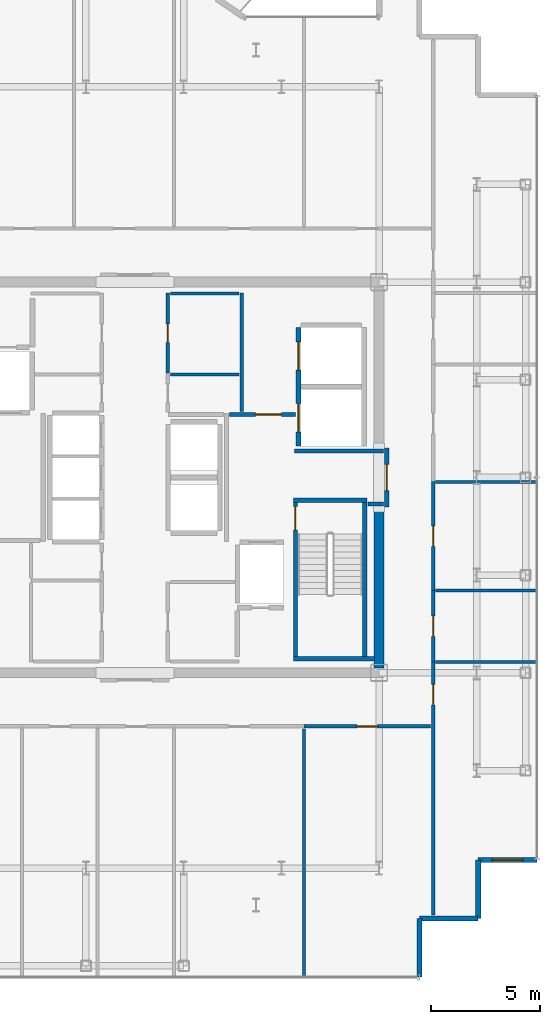
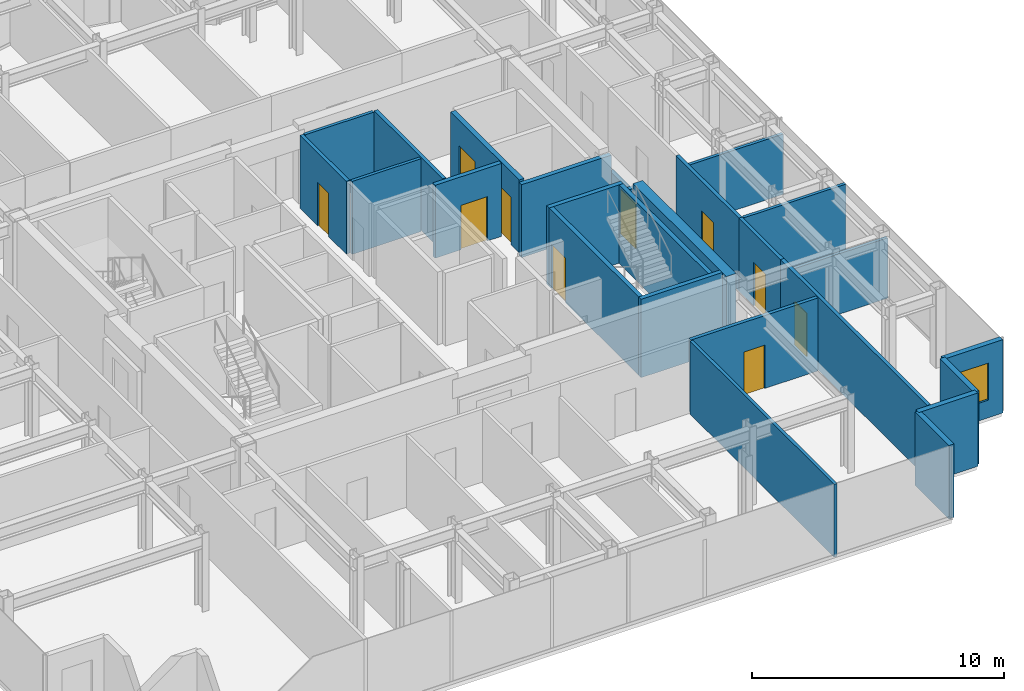
# One storey, part 15 of 18: 26 walls, 10 doors, 1 window, 11 openings.
"""IFC4 building model written with IfcOpenShell, lengths in metres."""

from ifc_helpers import new_model, si_unit, direction, frame, frame_2d, origin, place, context, subcontext, project, spatial, rectangle, extrude, source, transform, mapped, material, layer, layer_set, type_object, element, fill, save


model = new_model("IFC4")

# Units and contexts
model_context = context("Model", 3, precision=1e-05, world=origin(), true_north=direction((0.0, 1.0)))
body_context = subcontext(model_context, "Body", "Model", "MODEL_VIEW")
ifc_project = project(units=[si_unit("LENGTHUNIT", "METRE"), si_unit("AREAUNIT", "SQUARE_METRE"), si_unit("VOLUMEUNIT", "CUBIC_METRE"), si_unit("PLANEANGLEUNIT", "RADIAN"), si_unit("MASSUNIT", "GRAM", prefix="KILO")], contexts=[model_context])

# Site, building, storey
site_placement = place(None, origin())
site = spatial("IfcSite", under=ifc_project, at=site_placement, CompositionType="ELEMENT")
building_placement = place(site_placement, origin())
building = spatial("IfcBuilding", under=site, at=building_placement, Name="Nefas-Gora Pilgrimage Tower", CompositionType="ELEMENT")
storey_placement = place(building_placement, frame((0.0, 0.0, 295.0)))
storey = spatial("IfcBuildingStorey", under=building, at=storey_placement, Name="L74", CompositionType="ELEMENT", Elevation=295.0)

# Wall
ifc_material_1 = material(Name="Concrete C50/60", Category="concrete")
ifc_layer_1 = layer(ifc_material_1, 0.449951171875)
ifc_layer_set_1 = layer_set([ifc_layer_1], Name="Concrete C50/60")
wall_type_1 = type_object("IfcWallType", Name="SW-CORE-450", PredefinedType="SHEAR", material=ifc_layer_set_1)
shared_shape_1 = source(origin(), body_context, "Body", "SweptSolid", [
    extrude(rectangle(XDim=7.4248046875, YDim=0.449951171875, at=frame_2d((3.71240234375, 0.0))), origin(), (0.0, 0.0, 1.0), 3.800048828125),
])
wall_1_placement = place(storey_placement, frame((11.25, -8.77490234375, 0.0), z_axis=(0.0, 0.0, 1.0), x_axis=(0.0, 1.0, 0.0)))
element("IfcWall", 1, at=wall_1_placement, inside=storey, type_object=wall_type_1, Name="L74 Core Shear Wall E-South", PredefinedType="SHEAR", context=body_context, shape_type="MappedRepresentation", body=[
    mapped(shared_shape_1, transform((0.0, 0.0, 0.0), x_axis=(1.0, 0.0, 0.0), y_axis=(0.0, 1.0, 0.0), z_axis=(0.0, 0.0, 1.0), scale=1.0)),
])

# Wall, opening, window
ifc_material_2 = material(Name="Precast concrete C45/55", Category="concrete")
ifc_layer_2 = layer(ifc_material_2, 0.239990234375)
ifc_layer_set_2 = layer_set([ifc_layer_2], Name="Precast concrete C45/55")
wall_type_2 = type_object("IfcWallType", Name="EW-SERR-240", PredefinedType="SHEAR", material=ifc_layer_set_2)
shared_shape_2 = source(origin(), body_context, "Body", "SweptSolid", [
    extrude(rectangle(XDim=2.699951171875, YDim=0.239990234375, at=frame_2d((1.35009765625, 0.0))), origin(), (0.0, 0.0, 1.0), 3.550048828125),
])
wall_2_placement = place(storey_placement, frame((15.820068359375, -17.6201171875, 0.0), z_axis=(0.0, 0.0, 1.0), x_axis=(1.0, 0.0, 0.0)))
wall_2 = element("IfcWall", 2, at=wall_2_placement, inside=storey, type_object=wall_type_2, Name="L74 Serrated Corner Shear Pier Wall 1", PredefinedType="SHEAR", context=body_context, shape_type="MappedRepresentation", body=[
    mapped(shared_shape_2, transform((0.0, 0.0, 0.0), x_axis=(1.0, 0.0, 0.0), y_axis=(0.0, 1.0, 0.0), z_axis=(0.0, 0.0, 1.0), scale=1.0)),
])
opening_1_placement = place(wall_2_placement, frame((0.64990234375, 0.0, 0.85009765625)))
opening_1 = element("IfcOpeningElement", 3, at=opening_1_placement, cuts=wall_2, Name="Opening W-V2", PredefinedType="OPENING", context=body_context, shape_type="SweptSolid", body=[
    extrude(rectangle(XDim=1.39990234375, YDim=1.800048828125, at=frame_2d((0.699951171875, 0.89990234375))), frame((0.0, 0.1298828125, 0.0), z_axis=(0.0, -1.0, 0.0), x_axis=(1.0, 0.0, 0.0)), (0.0, 0.0, 1.0), 0.260009765625),
])
ifc_material_3 = material(Name="Dark ceramic-fritted operable aluminium-glass window", Category="aluminium")
window_type = type_object("IfcWindowType", Name="WIN-VENT-1400x1800", PartitioningType="SINGLE_PANEL", PredefinedType="WINDOW", material=ifc_material_3)
shared_shape_3 = source(origin(), body_context, "Body", "SweptSolid", [
    extrude(rectangle(XDim=1.39990234375, YDim=1.800048828125, at=frame_2d((0.699951171875, 0.89990234375))), frame((0.0, 0.030029296875, 0.0), z_axis=(0.0, -1.0, 0.0), x_axis=(1.0, 0.0, 0.0)), (0.0, 0.0, 1.0), 0.06005859375),
])
window_placement = place(opening_1_placement, origin())
window = element("IfcWindow", 4, at=window_placement, inside=storey, type_object=window_type, Name="L74 Operable Parallel-Outswing Window 1", OverallHeight=1.800048828125, OverallWidth=1.39990234375, PartitioningType="SINGLE_PANEL", PredefinedType="WINDOW", context=body_context, shape_type="MappedRepresentation", body=[
    mapped(shared_shape_3, transform((0.0, 0.0, 0.0), x_axis=(1.0, 0.0, 0.0), y_axis=(0.0, 1.0, 0.0), z_axis=(0.0, 0.0, 1.0), scale=1.0)),
])
fill(opening_1, window)

# Walls
for number, where, z_axis, x_axis, name in (
    (5, (13.1201171875, -23.02001953125, 0.0), (0.0, 0.0, 1.0), (0.0, 1.0, 0.0), "L74 Serrated Corner Shear Pier Wall 25"),
    (6, (13.1201171875, -20.320068359375, 0.0), (0.0, 0.0, 1.0), (1.0, 0.0, 0.0), "L74 Serrated Corner Shear Pier Wall 26"),
    (7, (15.820068359375, -20.320068359375, 0.0), (0.0, 0.0, 1.0), (0.0, 1.0, 0.0), "L74 Serrated Corner Shear Pier Wall 27"),
):
    element("IfcWall", number, at=place(storey_placement, frame(where, z_axis=z_axis, x_axis=x_axis)), inside=storey, type_object=wall_type_2, Name=name, PredefinedType="SHEAR", context=body_context, shape_type="MappedRepresentation", body=[
        mapped(shared_shape_2, transform((0.0, 0.0, 0.0), x_axis=(1.0, 0.0, 0.0), y_axis=(0.0, 1.0, 0.0), z_axis=(0.0, 0.0, 1.0), scale=1.0)),
    ])
ifc_material_4 = material(Name="Concrete C45/55", Category="concrete")
ifc_layer_3 = layer(ifc_material_4, 0.199951171875)
ifc_layer_set_3 = layer_set([ifc_layer_3], Name="Concrete C45/55")
wall_type_3 = type_object("IfcWallType", Name="IW-STAIR-200", PredefinedType="SOLIDWALL", material=ifc_layer_set_3)
shared_shape_4 = source(origin(), body_context, "Body", "SweptSolid", [
    extrude(rectangle(XDim=3.39990234375, YDim=0.199951171875, at=frame_2d((1.699951171875, 0.0))), origin(), (0.0, 0.0, 1.0), 3.800048828125),
])
wall_3_placement = place(storey_placement, frame((7.300048828125, -1.050048828125, 0.0), z_axis=(0.0, 0.0, 1.0), x_axis=(1.0, 0.0, 0.0)))
element("IfcWall", 8, at=wall_3_placement, inside=storey, type_object=wall_type_3, Name="L74 Stairwell Shear Wall ST-02-near", PredefinedType="SOLIDWALL", context=body_context, shape_type="MappedRepresentation", body=[
    mapped(shared_shape_4, transform((0.0, 0.0, 0.0), x_axis=(1.0, 0.0, 0.0), y_axis=(0.0, 1.0, 0.0), z_axis=(0.0, 0.0, 1.0), scale=1.0)),
])

# Wall, opening, door
shared_shape_5 = source(origin(), body_context, "Body", "SweptSolid", [
    extrude(rectangle(XDim=7.10009765625, YDim=0.199951171875, at=frame_2d((3.550048828125, 0.0))), origin(), (0.0, 0.0, 1.0), 3.800048828125),
])
wall_4_placement = place(storey_placement, frame((7.39990234375, -1.14990234375, 0.0), z_axis=(0.0, 0.0, 1.0), x_axis=(0.0, -1.0, 0.0)))
wall_4 = element("IfcWall", 9, at=wall_4_placement, inside=storey, type_object=wall_type_3, Name="L74 Stairwell Shear Wall ST-02-left", PredefinedType="SOLIDWALL", context=body_context, shape_type="MappedRepresentation", body=[
    mapped(shared_shape_5, transform((0.0, 0.0, 0.0), x_axis=(1.0, 0.0, 0.0), y_axis=(0.0, 1.0, 0.0), z_axis=(0.0, 0.0, 1.0), scale=1.0)),
])
opening_2_placement = place(wall_4_placement, frame((0.179931640625, 0.0, 0.0)))
opening_2 = element("IfcOpeningElement", 10, at=opening_2_placement, cuts=wall_4, Name="Opening ID-ST1", PredefinedType="OPENING", context=body_context, shape_type="SweptSolid", body=[
    extrude(rectangle(XDim=1.10009765625, YDim=2.14990234375, at=frame_2d((0.550048828125, 1.074951171875))), frame((0.0, 0.10986328125, 0.0), z_axis=(0.0, -1.0, 0.0), x_axis=(1.0, 0.0, 0.0)), (0.0, 0.0, 1.0), 0.219970703125),
])
ifc_material_5 = material(Name="Painted galvanised steel fire stair door", Category="steel")
door_type_1 = type_object("IfcDoorType", Name="DR-INT-STAIR-1100", OperationType="NOTDEFINED", PredefinedType="DOOR", material=ifc_material_5)
shared_shape_6 = source(origin(), body_context, "Body", "SweptSolid", [
    extrude(rectangle(XDim=1.10009765625, YDim=2.14990234375, at=frame_2d((0.550048828125, 1.074951171875))), frame((0.0, 0.02490234375, 0.0), z_axis=(0.0, -1.0, 0.0), x_axis=(1.0, 0.0, 0.0)), (0.0, 0.0, 1.0), 0.050048828125),
])
door_1_placement = place(opening_2_placement, origin())
door_1 = element("IfcDoor", 11, at=door_1_placement, inside=storey, type_object=door_type_1, Name="L74 Protected Exit Stair Door ST-02", OperationType="SINGLE_SWING_LEFT", OverallHeight=2.14990234375, OverallWidth=1.10009765625, PredefinedType="DOOR", context=body_context, shape_type="MappedRepresentation", body=[
    mapped(shared_shape_6, transform((0.0, 0.0, 0.0), x_axis=(1.0, 0.0, 0.0), y_axis=(0.0, 1.0, 0.0), z_axis=(0.0, 0.0, 1.0), scale=1.0)),
])
fill(opening_2, door_1)

# Walls
wall_5_placement = place(storey_placement, frame((10.60009765625, -1.14990234375, 0.0), z_axis=(0.0, 0.0, 1.0), x_axis=(0.0, -1.0, 0.0)))
element("IfcWall", 12, at=wall_5_placement, inside=storey, type_object=wall_type_3, Name="L74 Stairwell Shear Wall ST-02-right", PredefinedType="SOLIDWALL", context=body_context, shape_type="MappedRepresentation", body=[
    mapped(shared_shape_5, transform((0.0, 0.0, 0.0), x_axis=(1.0, 0.0, 0.0), y_axis=(0.0, 1.0, 0.0), z_axis=(0.0, 0.0, 1.0), scale=1.0)),
])
shared_shape_7 = source(origin(), body_context, "Body", "SweptSolid", [
    extrude(rectangle(XDim=3.72998046875, YDim=0.199951171875, at=frame_2d((1.864990234375, 0.0))), origin(), (0.0, 0.0, 1.0), 3.800048828125),
])
wall_6_placement = place(storey_placement, frame((7.300048828125, -8.35009765625, 0.0), z_axis=(0.0, 0.0, 1.0), x_axis=(1.0, 0.0, 0.0)))
element("IfcWall", 13, at=wall_6_placement, inside=storey, type_object=wall_type_3, Name="L74 Stairwell Shear Wall ST-02-far", PredefinedType="SOLIDWALL", context=body_context, shape_type="MappedRepresentation", body=[
    mapped(shared_shape_7, transform((0.0, 0.0, 0.0), x_axis=(1.0, 0.0, 0.0), y_axis=(0.0, 1.0, 0.0), z_axis=(0.0, 0.0, 1.0), scale=1.0)),
])

# Wall, openings, doors
ifc_material_6 = material(Name="Concrete C40/50", Category="concrete")
ifc_layer_4 = layer(ifc_material_6, 0.219970703125)
ifc_layer_set_4 = layer_set([ifc_layer_4], Name="Concrete C40/50")
wall_type_4 = type_object("IfcWallType", Name="IW-SHAFT-220", PredefinedType="SOLIDWALL", material=ifc_layer_set_4)
shared_shape_8 = source(origin(), body_context, "Body", "SweptSolid", [
    extrude(rectangle(XDim=5.449951171875, YDim=0.219970703125, at=frame_2d((2.72509765625, 0.0))), origin(), (0.0, 0.0, 1.0), 3.534912109375),
])
wall_7_placement = place(storey_placement, frame((7.5400390625, 6.89990234375, 0.0), z_axis=(0.0, 0.0, 1.0), x_axis=(0.0, -1.0, 0.0)))
wall_7 = element("IfcWall", 14, at=wall_7_placement, inside=storey, type_object=wall_type_4, Name="L74 Hoistway Wall SL-01-02-W", PredefinedType="SOLIDWALL", context=body_context, shape_type="MappedRepresentation", body=[
    mapped(shared_shape_8, transform((0.0, 0.0, 0.0), x_axis=(1.0, 0.0, 0.0), y_axis=(0.0, 1.0, 0.0), z_axis=(0.0, 0.0, 1.0), scale=1.0)),
])
opening_3_placement = place(wall_7_placement, frame((3.5, 0.0, 0.0)))
opening_3 = element("IfcOpeningElement", 15, at=opening_3_placement, cuts=wall_7, Name="Opening LD-SV", PredefinedType="OPENING", context=body_context, shape_type="SweptSolid", body=[
    extrude(rectangle(XDim=1.300048828125, YDim=2.300048828125, at=frame_2d((0.64990234375, 1.14990234375))), frame((0.0, 0.119873046875, 0.0), z_axis=(0.0, -1.0, 0.0), x_axis=(1.0, 0.0, 0.0)), (0.0, 0.0, 1.0), 0.239990234375),
])
opening_4_placement = place(wall_7_placement, frame((0.64990234375, 0.0, 0.0)))
opening_4 = element("IfcOpeningElement", 16, at=opening_4_placement, cuts=wall_7, Name="Opening LD-SV", PredefinedType="OPENING", context=body_context, shape_type="SweptSolid", body=[
    extrude(rectangle(XDim=1.300048828125, YDim=2.300048828125, at=frame_2d((0.64990234375, 1.14990234375))), frame((0.0, 0.119873046875, 0.0), z_axis=(0.0, -1.0, 0.0), x_axis=(1.0, 0.0, 0.0)), (0.0, 0.0, 1.0), 0.239990234375),
])
ifc_material_7 = material(Name="Heavy goods sliding lift landing door")
door_type_2 = type_object("IfcDoorType", Name="DR-LIFT-SERV-1300", OperationType="SLIDING_TO_RIGHT", PredefinedType="DOOR", material=ifc_material_7)
shared_shape_9 = source(origin(), body_context, "Body", "SweptSolid", [
    extrude(rectangle(XDim=1.300048828125, YDim=2.300048828125, at=frame_2d((0.64990234375, 1.14990234375))), frame((0.0, 0.02490234375, 0.0), z_axis=(0.0, -1.0, 0.0), x_axis=(1.0, 0.0, 0.0)), (0.0, 0.0, 1.0), 0.050048828125),
])
door_2_placement = place(opening_3_placement, origin())
door_2 = element("IfcDoor", 17, at=door_2_placement, inside=storey, type_object=door_type_2, Name="L74 Sliding Lift Landing Door SL-01", OperationType="SLIDING_TO_RIGHT", OverallHeight=2.300048828125, OverallWidth=1.300048828125, PredefinedType="DOOR", context=body_context, shape_type="MappedRepresentation", body=[
    mapped(shared_shape_9, transform((0.0, 0.0, 0.0), x_axis=(1.0, 0.0, 0.0), y_axis=(0.0, 1.0, 0.0), z_axis=(0.0, 0.0, 1.0), scale=1.0)),
])
fill(opening_3, door_2)
door_3_placement = place(opening_4_placement, origin())
door_3 = element("IfcDoor", 18, at=door_3_placement, inside=storey, type_object=door_type_2, Name="L74 Sliding Lift Landing Door SL-02", OperationType="SLIDING_TO_RIGHT", OverallHeight=2.300048828125, OverallWidth=1.300048828125, PredefinedType="DOOR", context=body_context, shape_type="MappedRepresentation", body=[
    mapped(shared_shape_9, transform((0.0, 0.0, 0.0), x_axis=(1.0, 0.0, 0.0), y_axis=(0.0, 1.0, 0.0), z_axis=(0.0, 0.0, 1.0), scale=1.0)),
])
fill(opening_4, door_3)

# Wall
ifc_material_8 = material(Name="Gypsum fire-rated shaftwall")
ifc_layer_5 = layer(ifc_material_8, 0.199951171875)
ifc_layer_set_5 = layer_set([ifc_layer_5], Name="Gypsum fire-rated shaftwall")
wall_type_5 = type_object("IfcWallType", Name="IW-FFLOB-200", PredefinedType="PARTITIONING", material=ifc_layer_set_5)
shared_shape_10 = source(origin(), body_context, "Body", "SweptSolid", [
    extrude(rectangle(XDim=0.719970703125, YDim=0.199951171875, at=frame_2d((0.35986328125, 0.0))), origin(), (0.0, 0.0, 1.0), 3.534912109375),
])
wall_8_placement = place(storey_placement, frame((10.739990234375, -1.219970703125, 0.0), z_axis=(0.0, 0.0, 1.0), x_axis=(1.0, 0.0, 0.0)))
element("IfcWall", 19, at=wall_8_placement, inside=storey, type_object=wall_type_5, Name="L74 FF Lobby East Throat S Wall 15", PredefinedType="PARTITIONING", context=body_context, shape_type="MappedRepresentation", body=[
    mapped(shared_shape_10, transform((0.0, 0.0, 0.0), x_axis=(1.0, 0.0, 0.0), y_axis=(0.0, 1.0, 0.0), z_axis=(0.0, 0.0, 1.0), scale=1.0)),
])

# Wall, opening, door
shared_shape_11 = source(origin(), body_context, "Body", "SweptSolid", [
    extrude(rectangle(XDim=3.039794921875, YDim=0.199951171875, at=frame_2d((1.52001953125, 0.0))), origin(), (0.0, 0.0, 1.0), 3.534912109375),
])
wall_9_placement = place(storey_placement, frame((4.360107421875, 2.89990234375, 0.0), z_axis=(0.0, 0.0, 1.0), x_axis=(1.0, 0.0, 0.0)))
wall_9 = element("IfcWall", 20, at=wall_9_placement, inside=storey, type_object=wall_type_5, Name="L74 FF Lobby East North Wall Wall 13", PredefinedType="PARTITIONING", context=body_context, shape_type="MappedRepresentation", body=[
    mapped(shared_shape_11, transform((0.0, 0.0, 0.0), x_axis=(1.0, 0.0, 0.0), y_axis=(0.0, 1.0, 0.0), z_axis=(0.0, 0.0, 1.0), scale=1.0)),
])
opening_5_placement = place(wall_9_placement, frame((1.18994140625, 0.0, 0.0)))
opening_5 = element("IfcOpeningElement", 21, at=opening_5_placement, cuts=wall_9, Name="Opening ID-PL1", PredefinedType="OPENING", context=body_context, shape_type="SweptSolid", body=[
    extrude(rectangle(XDim=1.199951171875, YDim=2.14990234375, at=frame_2d((0.60009765625, 1.074951171875))), frame((0.0, 0.10986328125, 0.0), z_axis=(0.0, -1.0, 0.0), x_axis=(1.0, 0.0, 0.0)), (0.0, 0.0, 1.0), 0.219970703125),
])
ifc_material_9 = material(Name="Heavy-duty steel plant room fire door", Category="steel")
door_type_3 = type_object("IfcDoorType", Name="DR-INT-PLANT-1200", OperationType="NOTDEFINED", PredefinedType="DOOR", material=ifc_material_9)
shared_shape_12 = source(origin(), body_context, "Body", "SweptSolid", [
    extrude(rectangle(XDim=1.199951171875, YDim=2.14990234375, at=frame_2d((0.60009765625, 1.074951171875))), frame((0.0, 0.02490234375, 0.0), z_axis=(0.0, -1.0, 0.0), x_axis=(1.0, 0.0, 0.0)), (0.0, 0.0, 1.0), 0.050048828125),
])
door_4_placement = place(opening_5_placement, origin())
door_4 = element("IfcDoor", 22, at=door_4_placement, inside=storey, type_object=door_type_3, Name="L74 Service Lift Lobby Door Door 5", OperationType="SINGLE_SWING_LEFT", OverallHeight=2.14990234375, OverallWidth=1.199951171875, PredefinedType="DOOR", context=body_context, shape_type="MappedRepresentation", body=[
    mapped(shared_shape_12, transform((0.0, 0.0, 0.0), x_axis=(1.0, 0.0, 0.0), y_axis=(0.0, 1.0, 0.0), z_axis=(0.0, 0.0, 1.0), scale=1.0)),
])
fill(opening_5, door_4)

# Walls
shared_shape_13 = source(origin(), body_context, "Body", "SweptSolid", [
    extrude(rectangle(XDim=4.10986328125, YDim=0.199951171875, at=frame_2d((2.054931640625, 0.0))), origin(), (0.0, 0.0, 1.0), 3.534912109375),
])
wall_10_placement = place(storey_placement, frame((7.35009765625, 1.219970703125, 0.0), z_axis=(0.0, 0.0, 1.0), x_axis=(1.0, 0.0, 0.0)))
element("IfcWall", 23, at=wall_10_placement, inside=storey, type_object=wall_type_5, Name="L74 FF Lobby East Throat N Wall 14", PredefinedType="PARTITIONING", context=body_context, shape_type="MappedRepresentation", body=[
    mapped(shared_shape_13, transform((0.0, 0.0, 0.0), x_axis=(1.0, 0.0, 0.0), y_axis=(0.0, 1.0, 0.0), z_axis=(0.0, 0.0, 1.0), scale=1.0)),
])
ifc_material_10 = material(Name="Gypsum twin-stud partition")
ifc_layer_6 = layer(ifc_material_10, 0.139892578125)
ifc_layer_set_6 = layer_set([ifc_layer_6], Name="Gypsum twin-stud partition")
wall_type_6 = type_object("IfcWallType", Name="IW-UNIT-140", PredefinedType="PARTITIONING", material=ifc_layer_set_6)
shared_shape_14 = source(origin(), body_context, "Body", "SweptSolid", [
    extrude(rectangle(XDim=3.150146484375, YDim=0.139892578125, at=frame_2d((1.5751953125, 0.0))), origin(), (0.0, 0.0, 1.0), 3.534912109375),
])
for number, where, z_axis, x_axis, name in (
    (24, (1.639892578125, 4.75, 0.0), (0.0, 0.0, 1.0), (1.0, 0.0, 0.0), "L74 Clean Blanket and Robe Store Partition Wall 24"),
    (25, (1.639892578125, 8.47998046875, 0.0), (0.0, 0.0, 1.0), (1.0, 0.0, 0.0), "L74 Amenity Supply Store Partition Wall 26"),
):
    element("IfcWall", number, at=place(storey_placement, frame(where, z_axis=z_axis, x_axis=x_axis)), inside=storey, type_object=wall_type_6, Name=name, PredefinedType="PARTITIONING", context=body_context, shape_type="MappedRepresentation", body=[
        mapped(shared_shape_14, transform((0.0, 0.0, 0.0), x_axis=(1.0, 0.0, 0.0), y_axis=(0.0, 1.0, 0.0), z_axis=(0.0, 0.0, 1.0), scale=1.0)),
    ])

# Wall, opening, door
ifc_material_11 = material(Name="Gypsum acoustic stud partition")
ifc_layer_7 = layer(ifc_material_11, 0.159912109375)
ifc_layer_set_7 = layer_set([ifc_layer_7], Name="Gypsum acoustic stud partition")
wall_type_7 = type_object("IfcWallType", Name="IW-CORR-160", PredefinedType="PARTITIONING", material=ifc_layer_set_7)
shared_shape_15 = source(origin(), body_context, "Body", "SweptSolid", [
    extrude(rectangle(XDim=3.309814453125, YDim=0.159912109375, at=frame_2d((1.65478515625, 0.0))), origin(), (0.0, 0.0, 1.0), 3.534912109375),
])
wall_11_placement = place(storey_placement, frame((13.739990234375, -8.5048828125, 0.0), z_axis=(0.0, 0.0, 1.0), x_axis=(0.0, 1.0, 0.0)))
wall_11 = element("IfcWall", 26, at=wall_11_placement, inside=storey, type_object=wall_type_7, Name="L74 Pastoral Chaplains Counselling Office Partition Wall 48", PredefinedType="PARTITIONING", context=body_context, shape_type="MappedRepresentation", body=[
    mapped(shared_shape_15, transform((0.0, 0.0, 0.0), x_axis=(1.0, 0.0, 0.0), y_axis=(0.0, 1.0, 0.0), z_axis=(0.0, 0.0, 1.0), scale=1.0)),
])
opening_6_placement = place(wall_11_placement, frame((1.179931640625, 0.0, 0.0)))
opening_6 = element("IfcOpeningElement", 27, at=opening_6_placement, cuts=wall_11, Name="Opening ID-GR1", PredefinedType="OPENING", context=body_context, shape_type="SweptSolid", body=[
    extrude(rectangle(XDim=0.949951171875, YDim=2.10009765625, at=frame_2d((0.47509765625, 1.050048828125))), frame((0.0, 0.08984375, 0.0), z_axis=(0.0, -1.0, 0.0), x_axis=(1.0, 0.0, 0.0)), (0.0, 0.0, 1.0), 0.179931640625),
])
ifc_material_12 = material(Name="Solid core oak fire-rated guest entrance door")
door_type_4 = type_object("IfcDoorType", Name="DR-INT-GUEST-950", OperationType="NOTDEFINED", PredefinedType="DOOR", material=ifc_material_12)
shared_shape_16 = source(origin(), body_context, "Body", "SweptSolid", [
    extrude(rectangle(XDim=0.949951171875, YDim=2.10009765625, at=frame_2d((0.47509765625, 1.050048828125))), frame((0.0, 0.02490234375, 0.0), z_axis=(0.0, -1.0, 0.0), x_axis=(1.0, 0.0, 0.0)), (0.0, 0.0, 1.0), 0.050048828125),
])
door_5_placement = place(opening_6_placement, origin())
door_5 = element("IfcDoor", 28, at=door_5_placement, inside=storey, type_object=door_type_4, Name="L74 Pastoral Chaplains Counselling Office Door 21", OperationType="SINGLE_SWING_LEFT", OverallHeight=2.10009765625, OverallWidth=0.949951171875, PredefinedType="DOOR", context=body_context, shape_type="MappedRepresentation", body=[
    mapped(shared_shape_16, transform((0.0, 0.0, 0.0), x_axis=(1.0, 0.0, 0.0), y_axis=(0.0, 1.0, 0.0), z_axis=(0.0, 0.0, 1.0), scale=1.0)),
])
fill(opening_6, door_5)

shared_shape_17 = source(origin(), body_context, "Body", "SweptSolid", [
    extrude(rectangle(XDim=5.8251953125, YDim=0.159912109375, at=frame_2d((2.91259765625, 0.0))), origin(), (0.0, 0.0, 1.0), 3.534912109375),
])
wall_12_placement = place(storey_placement, frame((7.794921875, -11.469970703125, 0.0), z_axis=(0.0, 0.0, 1.0), x_axis=(1.0, 0.0, 0.0)))
wall_12 = element("IfcWall", 29, at=wall_12_placement, inside=storey, type_object=wall_type_7, Name="L74 Pilgrim Contemplative Lounge Partition Wall 75", PredefinedType="PARTITIONING", context=body_context, shape_type="MappedRepresentation", body=[
    mapped(shared_shape_17, transform((0.0, 0.0, 0.0), x_axis=(1.0, 0.0, 0.0), y_axis=(0.0, 1.0, 0.0), z_axis=(0.0, 0.0, 1.0), scale=1.0)),
])
opening_7_placement = place(wall_12_placement, frame((2.4375, 0.0, 0.0)))
opening_7 = element("IfcOpeningElement", 30, at=opening_7_placement, cuts=wall_12, Name="Opening ID-GR1", PredefinedType="OPENING", context=body_context, shape_type="SweptSolid", body=[
    extrude(rectangle(XDim=0.949951171875, YDim=2.10009765625, at=frame_2d((0.47509765625, 1.050048828125))), frame((0.0, 0.08984375, 0.0), z_axis=(0.0, -1.0, 0.0), x_axis=(1.0, 0.0, 0.0)), (0.0, 0.0, 1.0), 0.179931640625),
])
door_6_placement = place(opening_7_placement, origin())
door_6 = element("IfcDoor", 31, at=door_6_placement, inside=storey, type_object=door_type_4, Name="L74 Pilgrim Contemplative Lounge Door 36", OperationType="SINGLE_SWING_RIGHT", OverallHeight=2.10009765625, OverallWidth=0.949951171875, PredefinedType="DOOR", context=body_context, shape_type="MappedRepresentation", body=[
    mapped(shared_shape_16, transform((0.0, 0.0, 0.0), x_axis=(1.0, 0.0, 0.0), y_axis=(0.0, 1.0, 0.0), z_axis=(0.0, 0.0, 1.0), scale=1.0)),
])
fill(opening_7, door_6)

# Wall
shared_shape_18 = source(origin(), body_context, "Body", "SweptSolid", [
    extrude(rectangle(XDim=5.449951171875, YDim=0.159912109375, at=frame_2d((2.72509765625, 0.0))), origin(), (0.0, 0.0, 1.0), 3.534912109375),
])
wall_13_placement = place(storey_placement, frame((4.919921875, 3.0400390625, 0.0), z_axis=(0.0, 0.0, 1.0), x_axis=(0.0, 1.0, 0.0)))
element("IfcWall", 32, at=wall_13_placement, inside=storey, type_object=wall_type_7, Name="L74 Service Lift Lobby West Wall Wall 18", PredefinedType="PARTITIONING", context=body_context, shape_type="MappedRepresentation", body=[
    mapped(shared_shape_18, transform((0.0, 0.0, 0.0), x_axis=(1.0, 0.0, 0.0), y_axis=(0.0, 1.0, 0.0), z_axis=(0.0, 0.0, 1.0), scale=1.0)),
])

# Wall, opening, door
shared_shape_19 = source(origin(), body_context, "Body", "SweptSolid", [
    extrude(rectangle(XDim=3.679931640625, YDim=0.159912109375, at=frame_2d((1.83984375, 0.0))), origin(), (0.0, 0.0, 1.0), 3.534912109375),
])
wall_14_placement = place(storey_placement, frame((1.52001953125, 4.81005859375, 0.0), z_axis=(0.0, 0.0, 1.0), x_axis=(0.0, 1.0, 0.0)))
wall_14 = element("IfcWall", 33, at=wall_14_placement, inside=storey, type_object=wall_type_7, Name="L74 Amenity Supply Store Wall 25", PredefinedType="PARTITIONING", context=body_context, shape_type="MappedRepresentation", body=[
    mapped(shared_shape_19, transform((0.0, 0.0, 0.0), x_axis=(1.0, 0.0, 0.0), y_axis=(0.0, 1.0, 0.0), z_axis=(0.0, 0.0, 1.0), scale=1.0)),
])
opening_8_placement = place(wall_14_placement, frame((1.4150390625, 0.0, 0.0)))
opening_8 = element("IfcOpeningElement", 34, at=opening_8_placement, cuts=wall_14, Name="Opening ID-BT1", PredefinedType="OPENING", context=body_context, shape_type="SweptSolid", body=[
    extrude(rectangle(XDim=0.85009765625, YDim=2.10009765625, at=frame_2d((0.425048828125, 1.050048828125))), frame((0.0, 0.08984375, 0.0), z_axis=(0.0, -1.0, 0.0), x_axis=(1.0, 0.0, 0.0)), (0.0, 0.0, 1.0), 0.179931640625),
])
ifc_material_13 = material(Name="Moisture-resistant fire-rated timber door", Category="wood")
door_type_5 = type_object("IfcDoorType", Name="DR-INT-BATH-850", OperationType="NOTDEFINED", PredefinedType="DOOR", material=ifc_material_13)
shared_shape_20 = source(origin(), body_context, "Body", "SweptSolid", [
    extrude(rectangle(XDim=0.85009765625, YDim=2.10009765625, at=frame_2d((0.425048828125, 1.050048828125))), frame((0.0, 0.02490234375, 0.0), z_axis=(0.0, -1.0, 0.0), x_axis=(1.0, 0.0, 0.0)), (0.0, 0.0, 1.0), 0.050048828125),
])
door_7_placement = place(opening_8_placement, origin())
door_7 = element("IfcDoor", 35, at=door_7_placement, inside=storey, type_object=door_type_5, Name="L74 Amenity Supply Store Door 11", OperationType="SINGLE_SWING_LEFT", OverallHeight=2.10009765625, OverallWidth=0.85009765625, PredefinedType="DOOR", context=body_context, shape_type="MappedRepresentation", body=[
    mapped(shared_shape_20, transform((0.0, 0.0, 0.0), x_axis=(1.0, 0.0, 0.0), y_axis=(0.0, 1.0, 0.0), z_axis=(0.0, 0.0, 1.0), scale=1.0)),
])
fill(opening_8, door_7)

shared_shape_21 = source(origin(), body_context, "Body", "SweptSolid", [
    extrude(rectangle(XDim=5.010009765625, YDim=0.159912109375, at=frame_2d((2.5048828125, 0.0))), origin(), (0.0, 0.0, 1.0), 3.534912109375),
])
wall_15_placement = place(storey_placement, frame((13.739990234375, -5.205078125, 0.0), z_axis=(0.0, 0.0, 1.0), x_axis=(0.0, 1.0, 0.0)))
wall_15 = element("IfcWall", 36, at=wall_15_placement, inside=storey, type_object=wall_type_7, Name="L74 Pilgrim Contemplative Lounge Partition Wall 50", PredefinedType="PARTITIONING", context=body_context, shape_type="MappedRepresentation", body=[
    mapped(shared_shape_21, transform((0.0, 0.0, 0.0), x_axis=(1.0, 0.0, 0.0), y_axis=(0.0, 1.0, 0.0), z_axis=(0.0, 0.0, 1.0), scale=1.0)),
])
opening_9_placement = place(wall_15_placement, frame((2.030029296875, 0.0, 0.0)))
opening_9 = element("IfcOpeningElement", 37, at=opening_9_placement, cuts=wall_15, Name="Opening ID-GR1", PredefinedType="OPENING", context=body_context, shape_type="SweptSolid", body=[
    extrude(rectangle(XDim=0.949951171875, YDim=2.10009765625, at=frame_2d((0.47509765625, 1.050048828125))), frame((0.0, 0.08984375, 0.0), z_axis=(0.0, -1.0, 0.0), x_axis=(1.0, 0.0, 0.0)), (0.0, 0.0, 1.0), 0.179931640625),
])
door_8_placement = place(opening_9_placement, origin())
door_8 = element("IfcDoor", 38, at=door_8_placement, inside=storey, type_object=door_type_4, Name="L74 Pilgrim Contemplative Lounge Door 22", OperationType="SINGLE_SWING_RIGHT", OverallHeight=2.10009765625, OverallWidth=0.949951171875, PredefinedType="DOOR", context=body_context, shape_type="MappedRepresentation", body=[
    mapped(shared_shape_16, transform((0.0, 0.0, 0.0), x_axis=(1.0, 0.0, 0.0), y_axis=(0.0, 1.0, 0.0), z_axis=(0.0, 0.0, 1.0), scale=1.0)),
])
fill(opening_9, door_8)

shared_shape_22 = source(origin(), body_context, "Body", "SweptSolid", [
    extrude(rectangle(XDim=2.7001953125, YDim=0.199951171875, at=frame_2d((1.35009765625, 0.0))), origin(), (0.0, 0.0, 1.0), 2.625),
])
wall_16_placement = place(storey_placement, frame((11.60009765625, -1.35009765625, 0.0), z_axis=(0.0, 0.0, 1.0), x_axis=(0.0, 1.0, 0.0)))
wall_16 = element("IfcWall", 39, at=wall_16_placement, inside=storey, type_object=wall_type_5, Name="L74 FF Lobby East Portal Wall 10", PredefinedType="PARTITIONING", context=body_context, shape_type="MappedRepresentation", body=[
    mapped(shared_shape_22, transform((0.0, 0.0, 0.0), x_axis=(1.0, 0.0, 0.0), y_axis=(0.0, 1.0, 0.0), z_axis=(0.0, 0.0, 1.0), scale=1.0)),
])
opening_10_placement = place(wall_16_placement, frame((0.75, 0.0, 0.0)))
opening_10 = element("IfcOpeningElement", 40, at=opening_10_placement, cuts=wall_16, Name="Opening ID-FF1", PredefinedType="OPENING", context=body_context, shape_type="SweptSolid", body=[
    extrude(rectangle(XDim=1.199951171875, YDim=2.14990234375, at=frame_2d((0.60009765625, 1.074951171875))), frame((0.0, 0.10986328125, 0.0), z_axis=(0.0, -1.0, 0.0), x_axis=(1.0, 0.0, 0.0)), (0.0, 0.0, 1.0), 0.219970703125),
])
ifc_material_14 = material(Name="Smoke-sealed steel firefighting lobby door", Category="steel")
door_type_6 = type_object("IfcDoorType", Name="DR-INT-FFLOB-1200", OperationType="NOTDEFINED", PredefinedType="DOOR", material=ifc_material_14)
door_9_placement = place(opening_10_placement, origin())
door_9 = element("IfcDoor", 41, at=door_9_placement, inside=storey, type_object=door_type_6, Name="L74 FF Lobby East Portal Door 4", OperationType="SINGLE_SWING_RIGHT", OverallHeight=2.14990234375, OverallWidth=1.199951171875, PredefinedType="DOOR", context=body_context, shape_type="MappedRepresentation", body=[
    mapped(shared_shape_12, transform((0.0, 0.0, 0.0), x_axis=(1.0, 0.0, 0.0), y_axis=(0.0, 1.0, 0.0), z_axis=(0.0, 0.0, 1.0), scale=1.0)),
])
fill(opening_10, door_9)

shared_shape_23 = source(origin(), body_context, "Body", "SweptSolid", [
    extrude(rectangle(XDim=11.664794921875, YDim=0.159912109375, at=frame_2d((5.83251953125, 0.0))), origin(), (0.0, 0.0, 1.0), 3.534912109375),
])
wall_17_placement = place(storey_placement, frame((13.739990234375, -20.159912109375, 0.0), z_axis=(0.0, 0.0, 1.0), x_axis=(0.0, 1.0, 0.0)))
wall_17 = element("IfcWall", 42, at=wall_17_placement, inside=storey, type_object=wall_type_7, Name="L74 Pilgrim Fellowship Seminar Room Partition Wall 46", PredefinedType="PARTITIONING", context=body_context, shape_type="MappedRepresentation", body=[
    mapped(shared_shape_23, transform((0.0, 0.0, 0.0), x_axis=(1.0, 0.0, 0.0), y_axis=(0.0, 1.0, 0.0), z_axis=(0.0, 0.0, 1.0), scale=1.0)),
])
opening_11_placement = place(wall_17_placement, frame((9.6826171875, 0.0, 0.0)))
opening_11 = element("IfcOpeningElement", 43, at=opening_11_placement, cuts=wall_17, Name="Opening ID-GR1", PredefinedType="OPENING", context=body_context, shape_type="SweptSolid", body=[
    extrude(rectangle(XDim=0.949951171875, YDim=2.10009765625, at=frame_2d((0.47509765625, 1.050048828125))), frame((0.0, 0.08984375, 0.0), z_axis=(0.0, -1.0, 0.0), x_axis=(1.0, 0.0, 0.0)), (0.0, 0.0, 1.0), 0.179931640625),
])
door_10_placement = place(opening_11_placement, origin())
door_10 = element("IfcDoor", 44, at=door_10_placement, inside=storey, type_object=door_type_4, Name="L74 Pilgrim Fellowship Seminar Room Door 20", OperationType="SINGLE_SWING_RIGHT", OverallHeight=2.10009765625, OverallWidth=0.949951171875, PredefinedType="DOOR", context=body_context, shape_type="MappedRepresentation", body=[
    mapped(shared_shape_16, transform((0.0, 0.0, 0.0), x_axis=(1.0, 0.0, 0.0), y_axis=(0.0, 1.0, 0.0), z_axis=(0.0, 0.0, 1.0), scale=1.0)),
])
fill(opening_11, door_10)

# Walls
shared_shape_24 = source(origin(), body_context, "Body", "SweptSolid", [
    extrude(rectangle(XDim=11.449951171875, YDim=0.139892578125, at=frame_2d((5.72509765625, 0.0))), origin(), (0.0, 0.0, 1.0), 3.534912109375),
])
wall_18_placement = place(storey_placement, frame((7.794921875, -23.0400390625, 0.0), z_axis=(0.0, 0.0, 1.0), x_axis=(0.0, 1.0, 0.0)))
element("IfcWall", 45, at=wall_18_placement, inside=storey, type_object=wall_type_6, Name="L74 Pilgrim Contemplative Lounge Partition Wall 74", PredefinedType="PARTITIONING", context=body_context, shape_type="MappedRepresentation", body=[
    mapped(shared_shape_24, transform((0.0, 0.0, 0.0), x_axis=(1.0, 0.0, 0.0), y_axis=(0.0, 1.0, 0.0), z_axis=(0.0, 0.0, 1.0), scale=1.0)),
])
shared_shape_25 = source(origin(), body_context, "Body", "SweptSolid", [
    extrude(rectangle(XDim=4.679931640625, YDim=0.139892578125, at=frame_2d((2.33984375, 0.0))), origin(), (0.0, 0.0, 1.0), 2.925048828125),
])
for number, where, z_axis, x_axis, name in (
    (46, (13.860107421875, -8.5048828125, 0.0), (0.0, 0.0, 1.0), (1.0, 0.0, 0.0), "L74 Pilgrim Fellowship Seminar Room Partition Wall 47"),
    (47, (13.860107421875, -0.205078125, 0.0), (0.0, 0.0, 1.0), (1.0, 0.0, 0.0), "L74 Pilgrim Contemplative Lounge Partition Wall 51"),
):
    element("IfcWall", number, at=place(storey_placement, frame(where, z_axis=z_axis, x_axis=x_axis)), inside=storey, type_object=wall_type_6, Name=name, PredefinedType="PARTITIONING", context=body_context, shape_type="MappedRepresentation", body=[
        mapped(shared_shape_25, transform((0.0, 0.0, 0.0), x_axis=(1.0, 0.0, 0.0), y_axis=(0.0, 1.0, 0.0), z_axis=(0.0, 0.0, 1.0), scale=1.0)),
    ])
shared_shape_26 = source(origin(), body_context, "Body", "SweptSolid", [
    extrude(rectangle(XDim=4.679931640625, YDim=0.139892578125, at=frame_2d((2.33984375, 0.0))), origin(), (0.0, 0.0, 1.0), 3.534912109375),
])
wall_19_placement = place(storey_placement, frame((13.860107421875, -5.205078125, 0.0), z_axis=(0.0, 0.0, 1.0), x_axis=(1.0, 0.0, 0.0)))
element("IfcWall", 48, at=wall_19_placement, inside=storey, type_object=wall_type_6, Name="L74 Pastoral Chaplains Counselling Office Partition Wall 49", PredefinedType="PARTITIONING", context=body_context, shape_type="MappedRepresentation", body=[
    mapped(shared_shape_26, transform((0.0, 0.0, 0.0), x_axis=(1.0, 0.0, 0.0), y_axis=(0.0, 1.0, 0.0), z_axis=(0.0, 0.0, 1.0), scale=1.0)),
])

save(model, "model.ifc")
